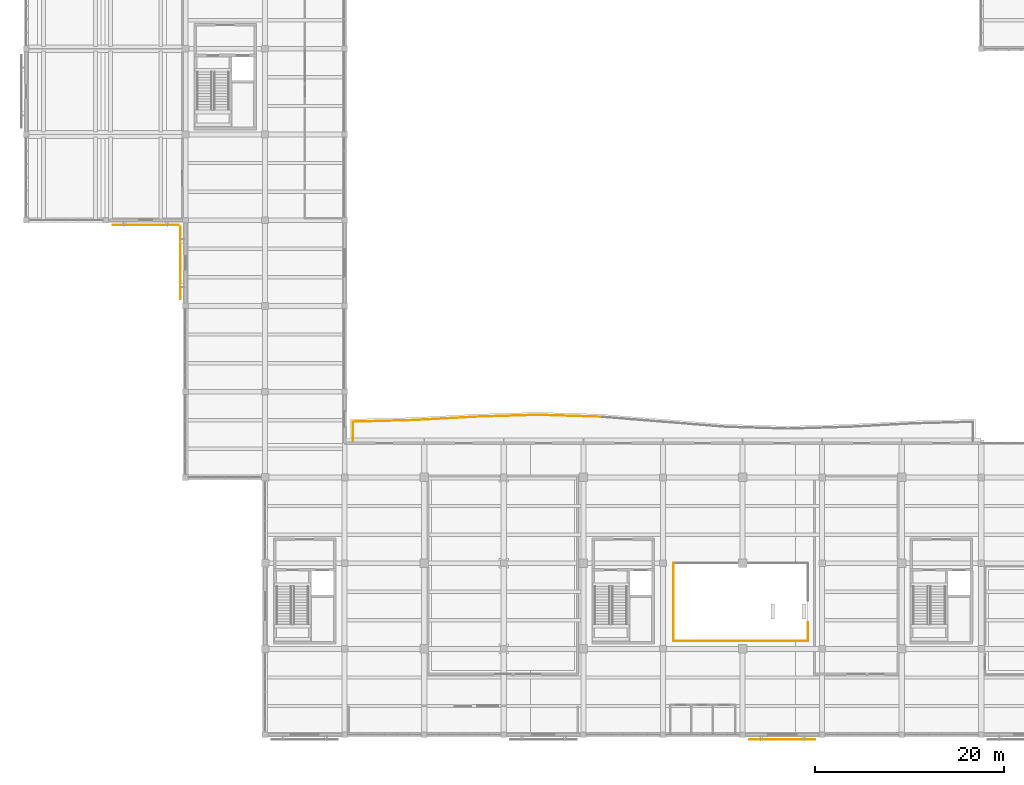
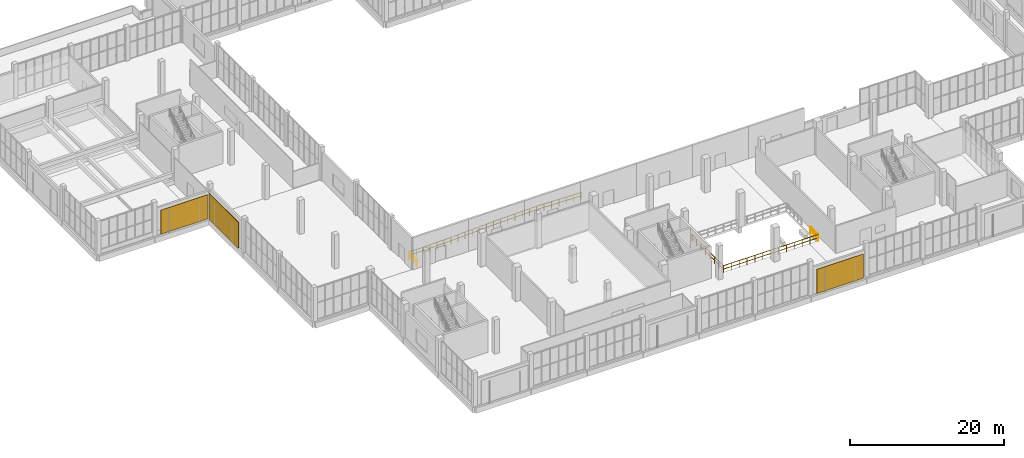
# One storey, part 125 of 132: 8 railings, 3 shading devices.
"""IFC4 building model written with IfcOpenShell, lengths in metres."""

from ifc_helpers import new_model, si_unit, direction, frame, origin, origin_2d, place, context, subcontext, project, spatial, rectangle, circle, extrude, material, layer, layer_set, type_object, element, save


model = new_model("IFC4")

# Units and contexts
model_context = context("Model", 3, precision=1e-05, world=origin(), true_north=direction((0.0, 1.0)))
body_context = subcontext(model_context, "Body", "Model", "MODEL_VIEW")
ifc_project = project(units=[si_unit("LENGTHUNIT", "METRE"), si_unit("AREAUNIT", "SQUARE_METRE"), si_unit("VOLUMEUNIT", "CUBIC_METRE"), si_unit("PLANEANGLEUNIT", "RADIAN"), si_unit("MASSUNIT", "GRAM", prefix="KILO")], contexts=[model_context])

# Site, building, storey
site_placement = place(None, origin())
site = spatial("IfcSite", under=ifc_project, at=site_placement, CompositionType="ELEMENT")
building_placement = place(site_placement, origin())
building = spatial("IfcBuilding", under=site, at=building_placement, Name="Khurvash Pelagic Aquarium", CompositionType="ELEMENT")
storey_placement = place(building_placement, frame((0.0, 0.0, 5.39990234375)))
storey = spatial("IfcBuildingStorey", under=building, at=storey_placement, Name="L01", CompositionType="ELEMENT", Elevation=5.39990234375)

# Railings
ifc_material_1 = material(Name="Laminated glass and stainless steel 316", Category="steel")
railing_type_1 = type_object("IfcRailingType", Name="BL-01", PredefinedType="BALUSTRADE", material=ifc_material_1)
railing_1_placement = place(storey_placement, frame((34.47998046875, 33.6298828125, 0.0)))
element("IfcRailing", 1, at=railing_1_placement, inside=storey, type_object=railing_type_1, Name="L01 Planted Terrace Perimeter Balustrade BL-01 0004", PredefinedType="BALUSTRADE", context=body_context, shape_type="SweptSolid", body=[
    extrude(circle(Radius=0.02392578125, at=origin_2d()), frame((0.0, 0.0, 1.076171875), z_axis=(0.0, 1.0, 0.0), x_axis=(-1.0, 0.0, 0.0)), (0.0, 0.0, 1.0), 1.9970703125),
    extrude(circle(Radius=0.02392578125, at=origin_2d()), frame((0.0, 0.0, 0.5380859375), z_axis=(0.0, 1.0, 0.0), x_axis=(-1.0, 0.0, 0.0)), (0.0, 0.0, 1.0), 1.9970703125),
    extrude(circle(Radius=0.02099609375, at=origin_2d()), origin(), (0.0, 0.0, 1.0), 1.052001953125),
    extrude(circle(Radius=0.02099609375, at=origin_2d()), frame((0.0, 0.99853515625, 0.0)), (0.0, 0.0, 1.0), 1.052001953125),
    extrude(circle(Radius=0.02099609375, at=origin_2d()), frame((0.0, 1.9970703125, 0.0)), (0.0, 0.0, 1.0), 1.052001953125),
])
railing_2_placement = place(storey_placement, frame((34.47998046875, 35.626953125, 0.0)))
element("IfcRailing", 2, at=railing_2_placement, inside=storey, type_object=railing_type_1, Name="L01 Planted Terrace Perimeter Balustrade BL-01 0005", PredefinedType="BALUSTRADE", context=body_context, shape_type="SweptSolid", body=[
    extrude(circle(Radius=0.02392578125, at=origin_2d()), frame((0.0, 0.0, 1.076171875), z_axis=(0.99965591859, 0.026230600989, 0.0), x_axis=(-0.026230600989, 0.99965591859, 0.0)), (0.0, 0.0, 1.0), 6.3291015625),
    extrude(circle(Radius=0.02392578125, at=origin_2d()), frame((0.0, 0.0, 0.5380859375), z_axis=(0.99965591859, 0.026230600989, 0.0), x_axis=(-0.026230600989, 0.99965591859, 0.0)), (0.0, 0.0, 1.0), 6.3291015625),
    extrude(circle(Radius=0.02099609375, at=origin_2d()), origin(), (0.0, 0.0, 1.0), 1.052001953125),
    extrude(circle(Radius=0.02099609375, at=origin_2d()), frame((1.054443359375, 0.027587890625, 0.0)), (0.0, 0.0, 1.0), 1.052001953125),
    extrude(circle(Radius=0.02099609375, at=origin_2d()), frame((2.10888671875, 0.055419921875, 0.0)), (0.0, 0.0, 1.0), 1.052001953125),
    extrude(circle(Radius=0.02099609375, at=origin_2d()), frame((3.16357421875, 0.0830078125, 0.0)), (0.0, 0.0, 1.0), 1.052001953125),
    extrude(circle(Radius=0.02099609375, at=origin_2d()), frame((4.218017578125, 0.110595703125, 0.0)), (0.0, 0.0, 1.0), 1.052001953125),
    extrude(circle(Radius=0.02099609375, at=origin_2d()), frame((5.2724609375, 0.138427734375, 0.0)), (0.0, 0.0, 1.0), 1.052001953125),
    extrude(circle(Radius=0.02099609375, at=origin_2d()), frame((6.326904296875, 0.166015625, 0.0)), (0.0, 0.0, 1.0), 1.052001953125),
])
railing_3_placement = place(storey_placement, frame((40.81494140625, 35.79296875, 0.0)))
element("IfcRailing", 3, at=railing_3_placement, inside=storey, type_object=railing_type_1, Name="L01 Planted Terrace Perimeter Balustrade BL-01 0006", PredefinedType="BALUSTRADE", context=body_context, shape_type="SweptSolid", body=[
    extrude(circle(Radius=0.02392578125, at=origin_2d()), frame((0.0, 0.0, 1.076171875), z_axis=(0.998531595977, 0.0541724269, 0.0), x_axis=(-0.0541724269, 0.998531595977, 0.0)), (0.0, 0.0, 1.0), 6.60693359375),
    extrude(circle(Radius=0.02392578125, at=origin_2d()), frame((0.0, 0.0, 0.5380859375), z_axis=(0.998531595977, 0.0541724269, 0.0), x_axis=(-0.0541724269, 0.998531595977, 0.0)), (0.0, 0.0, 1.0), 6.60693359375),
    extrude(circle(Radius=0.02099609375, at=origin_2d()), origin(), (0.0, 0.0, 1.0), 1.052001953125),
    extrude(circle(Radius=0.02099609375, at=origin_2d()), frame((1.099609375, 0.0595703125, 0.0)), (0.0, 0.0, 1.0), 1.052001953125),
    extrude(circle(Radius=0.02099609375, at=origin_2d()), frame((2.198974609375, 0.119384765625, 0.0)), (0.0, 0.0, 1.0), 1.052001953125),
    extrude(circle(Radius=0.02099609375, at=origin_2d()), frame((3.298583984375, 0.178955078125, 0.0)), (0.0, 0.0, 1.0), 1.052001953125),
    extrude(circle(Radius=0.02099609375, at=origin_2d()), frame((4.398193359375, 0.238525390625, 0.0)), (0.0, 0.0, 1.0), 1.052001953125),
    extrude(circle(Radius=0.02099609375, at=origin_2d()), frame((5.49755859375, 0.29833984375, 0.0)), (0.0, 0.0, 1.0), 1.052001953125),
    extrude(circle(Radius=0.02099609375, at=origin_2d()), frame((6.59716796875, 0.35791015625, 0.0)), (0.0, 0.0, 1.0), 1.052001953125),
])
railing_4_placement = place(storey_placement, frame((47.412109375, 36.15087890625, 0.0)))
element("IfcRailing", 4, at=railing_4_placement, inside=storey, type_object=railing_type_1, Name="L01 Planted Terrace Perimeter Balustrade BL-01 0007", PredefinedType="BALUSTRADE", context=body_context, shape_type="SweptSolid", body=[
    extrude(circle(Radius=0.02392578125, at=origin_2d()), frame((0.0, 0.0, 1.076171875), z_axis=(0.999538592774, 0.030374356881, 0.0), x_axis=(-0.030374356881, 0.999538592774, 0.0)), (0.0, 0.0, 1.0), 6.5908203125),
    extrude(circle(Radius=0.02392578125, at=origin_2d()), frame((0.0, 0.0, 0.5380859375), z_axis=(0.999538592774, 0.030374356881, 0.0), x_axis=(-0.030374356881, 0.999538592774, 0.0)), (0.0, 0.0, 1.0), 6.5908203125),
    extrude(circle(Radius=0.02099609375, at=origin_2d()), origin(), (0.0, 0.0, 1.0), 1.052001953125),
    extrude(circle(Radius=0.02099609375, at=origin_2d()), frame((1.097900390625, 0.033447265625, 0.0)), (0.0, 0.0, 1.0), 1.052001953125),
    extrude(circle(Radius=0.02099609375, at=origin_2d()), frame((2.196044921875, 0.066650390625, 0.0)), (0.0, 0.0, 1.0), 1.052001953125),
    extrude(circle(Radius=0.02099609375, at=origin_2d()), frame((3.2939453125, 0.10009765625, 0.0)), (0.0, 0.0, 1.0), 1.052001953125),
    extrude(circle(Radius=0.02099609375, at=origin_2d()), frame((4.391845703125, 0.133544921875, 0.0)), (0.0, 0.0, 1.0), 1.052001953125),
    extrude(circle(Radius=0.02099609375, at=origin_2d()), frame((5.489990234375, 0.166748046875, 0.0)), (0.0, 0.0, 1.0), 1.052001953125),
    extrude(circle(Radius=0.02099609375, at=origin_2d()), frame((6.587890625, 0.2001953125, 0.0)), (0.0, 0.0, 1.0), 1.052001953125),
])
railing_5_placement = place(storey_placement, frame((54.0, 36.35107421875, 0.0)))
element("IfcRailing", 5, at=railing_5_placement, inside=storey, type_object=railing_type_1, Name="L01 Planted Terrace Perimeter Balustrade BL-01 0008", PredefinedType="BALUSTRADE", context=body_context, shape_type="SweptSolid", body=[
    extrude(circle(Radius=0.02392578125, at=origin_2d()), frame((0.0, 0.0, 1.076171875), z_axis=(0.999538182401, -0.030387858133, 0.0), x_axis=(0.030387858133, 0.999538182401, 0.0)), (0.0, 0.0, 1.0), 6.587890625),
    extrude(circle(Radius=0.02392578125, at=origin_2d()), frame((0.0, 0.0, 0.5380859375), z_axis=(0.999538182401, -0.030387858133, 0.0), x_axis=(0.030387858133, 0.999538182401, 0.0)), (0.0, 0.0, 1.0), 6.587890625),
    extrude(circle(Radius=0.02099609375, at=origin_2d()), origin(), (0.0, 0.0, 1.0), 1.052001953125),
    extrude(circle(Radius=0.02099609375, at=origin_2d()), frame((1.097412109375, -0.033447265625, 0.0)), (0.0, 0.0, 1.0), 1.052001953125),
    extrude(circle(Radius=0.02099609375, at=origin_2d()), frame((2.195068359375, -0.066650390625, 0.0)), (0.0, 0.0, 1.0), 1.052001953125),
    extrude(circle(Radius=0.02099609375, at=origin_2d()), frame((3.29248046875, -0.10009765625, 0.0)), (0.0, 0.0, 1.0), 1.052001953125),
    extrude(circle(Radius=0.02099609375, at=origin_2d()), frame((4.389892578125, -0.133544921875, 0.0)), (0.0, 0.0, 1.0), 1.052001953125),
    extrude(circle(Radius=0.02099609375, at=origin_2d()), frame((5.487548828125, -0.166748046875, 0.0)), (0.0, 0.0, 1.0), 1.052001953125),
    extrude(circle(Radius=0.02099609375, at=origin_2d()), frame((6.5849609375, -0.2001953125, 0.0)), (0.0, 0.0, 1.0), 1.052001953125),
])
ifc_material_2 = material(Name="Powder-coated galvanised steel S355J2", Category="steel")
railing_type_2 = type_object("IfcRailingType", Name="GR-01", PredefinedType="GUARDRAIL", material=ifc_material_2)
railing_6_placement = place(storey_placement, frame((68.300048828125, 12.5, 0.0)))
element("IfcRailing", 6, at=railing_6_placement, inside=storey, type_object=railing_type_2, Name="L01 VOID_ATRIUM_L01 Mezzanine Edge Guardrail GR-01", PredefinedType="GUARDRAIL", context=body_context, shape_type="SweptSolid", body=[
    extrude(circle(Radius=0.02392578125, at=origin_2d()), frame((0.0, 0.0, 1.076171875), z_axis=(1.0, 0.0, 0.0), x_axis=(0.0, 1.0, 0.0)), (0.0, 0.0, 1.0), 14.199951171875),
    extrude(circle(Radius=0.02392578125, at=origin_2d()), frame((0.0, 0.0, 0.5380859375), z_axis=(1.0, 0.0, 0.0), x_axis=(0.0, 1.0, 0.0)), (0.0, 0.0, 1.0), 14.199951171875),
    extrude(circle(Radius=0.02099609375, at=origin_2d()), origin(), (0.0, 0.0, 1.0), 1.052001953125),
    extrude(circle(Radius=0.02099609375, at=origin_2d()), frame((1.183349609375, 0.0, 0.0)), (0.0, 0.0, 1.0), 1.052001953125),
    extrude(circle(Radius=0.02099609375, at=origin_2d()), frame((2.36669921875, 0.0, 0.0)), (0.0, 0.0, 1.0), 1.052001953125),
    extrude(circle(Radius=0.02099609375, at=origin_2d()), frame((3.550048828125, 0.0, 0.0)), (0.0, 0.0, 1.0), 1.052001953125),
    extrude(circle(Radius=0.02099609375, at=origin_2d()), frame((4.7333984375, 0.0, 0.0)), (0.0, 0.0, 1.0), 1.052001953125),
    extrude(circle(Radius=0.02099609375, at=origin_2d()), frame((5.916748046875, 0.0, 0.0)), (0.0, 0.0, 1.0), 1.052001953125),
    extrude(circle(Radius=0.02099609375, at=origin_2d()), frame((7.10009765625, 0.0, 0.0)), (0.0, 0.0, 1.0), 1.052001953125),
    extrude(circle(Radius=0.02099609375, at=origin_2d()), frame((8.283203125, 0.0, 0.0)), (0.0, 0.0, 1.0), 1.052001953125),
    extrude(circle(Radius=0.02099609375, at=origin_2d()), frame((9.466552734375, 0.0, 0.0)), (0.0, 0.0, 1.0), 1.052001953125),
    extrude(circle(Radius=0.02099609375, at=origin_2d()), frame((10.64990234375, 0.0, 0.0)), (0.0, 0.0, 1.0), 1.052001953125),
    extrude(circle(Radius=0.02099609375, at=origin_2d()), frame((11.833251953125, 0.0, 0.0)), (0.0, 0.0, 1.0), 1.052001953125),
    extrude(circle(Radius=0.02099609375, at=origin_2d()), frame((13.0166015625, 0.0, 0.0)), (0.0, 0.0, 1.0), 1.052001953125),
    extrude(circle(Radius=0.02099609375, at=origin_2d()), frame((14.199951171875, 0.0, 0.0)), (0.0, 0.0, 1.0), 1.052001953125),
])
railing_7_placement = place(storey_placement, frame((82.5, 12.5, 0.0)))
element("IfcRailing", 7, at=railing_7_placement, inside=storey, type_object=railing_type_2, Name="L01 VOID_ATRIUM_L01 Mezzanine Edge Guardrail GR-01", PredefinedType="GUARDRAIL", context=body_context, shape_type="SweptSolid", body=[
    extrude(circle(Radius=0.02392578125, at=origin_2d()), frame((0.0, 0.0, 1.076171875), z_axis=(0.0, 1.0, 0.0), x_axis=(-1.0, 0.0, 0.0)), (0.0, 0.0, 1.0), 1.949951171875),
    extrude(circle(Radius=0.02392578125, at=origin_2d()), frame((0.0, 0.0, 0.5380859375), z_axis=(0.0, 1.0, 0.0), x_axis=(-1.0, 0.0, 0.0)), (0.0, 0.0, 1.0), 1.949951171875),
    extrude(circle(Radius=0.02099609375, at=origin_2d()), origin(), (0.0, 0.0, 1.0), 1.052001953125),
    extrude(circle(Radius=0.02099609375, at=origin_2d()), frame((0.0, 0.97509765625, 0.0)), (0.0, 0.0, 1.0), 1.052001953125),
    extrude(circle(Radius=0.02099609375, at=origin_2d()), frame((0.0, 1.949951171875, 0.0)), (0.0, 0.0, 1.0), 1.052001953125),
])
railing_8_placement = place(storey_placement, frame((68.300048828125, 20.699951171875, 0.0)))
element("IfcRailing", 8, at=railing_8_placement, inside=storey, type_object=railing_type_2, Name="L01 VOID_ATRIUM_L01 Mezzanine Edge Guardrail GR-01", PredefinedType="GUARDRAIL", context=body_context, shape_type="SweptSolid", body=[
    extrude(circle(Radius=0.02392578125, at=origin_2d()), frame((0.0, 0.0, 1.076171875), z_axis=(0.0, -1.0, 0.0), x_axis=(1.0, 0.0, 0.0)), (0.0, 0.0, 1.0), 8.199951171875),
    extrude(circle(Radius=0.02392578125, at=origin_2d()), frame((0.0, 0.0, 0.5380859375), z_axis=(0.0, -1.0, 0.0), x_axis=(1.0, 0.0, 0.0)), (0.0, 0.0, 1.0), 8.199951171875),
    extrude(circle(Radius=0.02099609375, at=origin_2d()), origin(), (0.0, 0.0, 1.0), 1.052001953125),
    extrude(circle(Radius=0.02099609375, at=origin_2d()), frame((0.0, -1.17138671875, 0.0)), (0.0, 0.0, 1.0), 1.052001953125),
    extrude(circle(Radius=0.02099609375, at=origin_2d()), frame((0.0, -2.3427734375, 0.0)), (0.0, 0.0, 1.0), 1.052001953125),
    extrude(circle(Radius=0.02099609375, at=origin_2d()), frame((0.0, -3.51416015625, 0.0)), (0.0, 0.0, 1.0), 1.052001953125),
    extrude(circle(Radius=0.02099609375, at=origin_2d()), frame((0.0, -4.685791015625, 0.0)), (0.0, 0.0, 1.0), 1.052001953125),
    extrude(circle(Radius=0.02099609375, at=origin_2d()), frame((0.0, -5.857177734375, 0.0)), (0.0, 0.0, 1.0), 1.052001953125),
    extrude(circle(Radius=0.02099609375, at=origin_2d()), frame((0.0, -7.028564453125, 0.0)), (0.0, 0.0, 1.0), 1.052001953125),
    extrude(circle(Radius=0.02099609375, at=origin_2d()), frame((0.0, -8.199951171875, 0.0)), (0.0, 0.0, 1.0), 1.052001953125),
])

# Shading devices
ifc_material_3 = material(Name="Extruded anodised aluminium fin", Category="aluminium")
ifc_layer_1 = layer(ifc_material_3, 0.074951171875)
ifc_layer_set_1 = layer_set([ifc_layer_1], Name="Extruded anodised aluminium fin")
shading_device_type_1 = type_object("IfcShadingDeviceType", Name="SH-FIN", PredefinedType="USERDEFINED", material=ifc_layer_set_1)
shading_device_placement = place(storey_placement, frame((16.280029296875, 52.375, 0.19970703125), z_axis=(0.0, 0.0, 1.0), x_axis=(0.0, -1.0, 0.0)))
element("IfcShadingDevice", 9, at=shading_device_placement, inside=storey, type_object=shading_device_type_1, Name="L01 Perforated Aluminium Jali Screen SH-FIN 0008", ObjectType="SOLAR FIN", PredefinedType="USERDEFINED", context=body_context, shape_type="SweptSolid", body=[
    extrude(rectangle(XDim=7.639892578125, YDim=0.074951171875, at=origin_2d()), origin(), (0.0, 0.0, 1.0), 4.131103515625),
])
ifc_material_4 = material(Name="Perforated anodised aluminium AW-5005", Category="aluminium")
ifc_layer_2 = layer(ifc_material_4, 0.06005859375)
ifc_layer_set_2 = layer_set([ifc_layer_2], Name="Perforated anodised aluminium AW-5005")
shading_device_type_2 = type_object("IfcShadingDeviceType", Name="SH-JAL", PredefinedType="JALOUSIE", material=ifc_layer_set_2)
for number, where, z_axis, x_axis, name in (
    (10, (79.800048828125, 2.080078125, 0.199951171875), (0.0, 0.0, 1.0), (1.0, 0.0, 0.0), "L01 Perforated Aluminium Jali Screen SH-JAL 0003"),
    (11, (12.60009765625, 56.3798828125, 0.199951171875), (0.0, 0.0, 1.0), (1.0, 0.0, 0.0), "L01 Perforated Aluminium Jali Screen SH-JAL 0007"),
):
    element("IfcShadingDevice", number, at=place(storey_placement, frame(where, z_axis=z_axis, x_axis=x_axis)), inside=storey, type_object=shading_device_type_2, Name=name, PredefinedType="JALOUSIE", context=body_context, shape_type="SweptSolid", body=[
        extrude(rectangle(XDim=6.989990234375, YDim=0.06005859375, at=origin_2d()), origin(), (0.0, 0.0, 1.0), 3.830078125),
    ])

save(model, "model.ifc")
